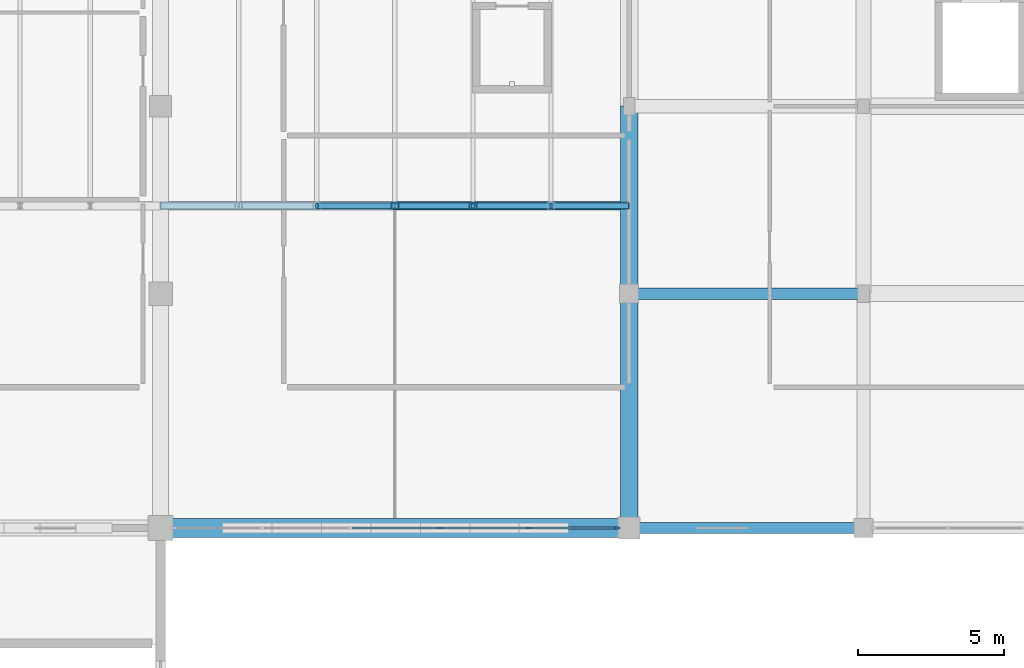
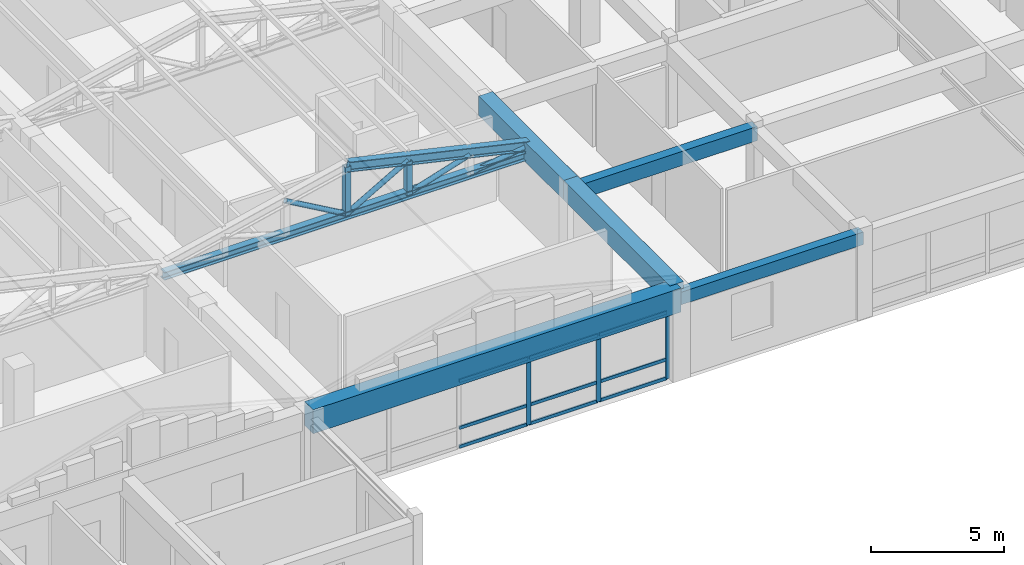
# One storey, part 3 of 35: 20 members, 5 beams, 1 element without a shape of its own.
"""IFC4 building model written with IfcOpenShell, lengths in metres."""

from ifc_helpers import new_model, si_unit, direction, frame, origin, origin_2d, place, context, subcontext, project, spatial, rectangle, hollow_rectangle, hollow_circle, i_section, extrude, material, material_profile, profile_set, type_object, element, aggregate, save


model = new_model("IFC4")

# Units and contexts
model_context = context("Model", 3, precision=1e-05, world=origin(), true_north=direction((0.0, 1.0)))
body_context = subcontext(model_context, "Body", "Model", "MODEL_VIEW")
ifc_project = project(units=[si_unit("LENGTHUNIT", "METRE"), si_unit("AREAUNIT", "SQUARE_METRE"), si_unit("VOLUMEUNIT", "CUBIC_METRE"), si_unit("PLANEANGLEUNIT", "RADIAN"), si_unit("MASSUNIT", "GRAM", prefix="KILO")], contexts=[model_context])

# Site, building, storey
site_placement = place(None, origin())
site = spatial("IfcSite", under=ifc_project, at=site_placement, CompositionType="ELEMENT")
building_placement = place(site_placement, origin())
building = spatial("IfcBuilding", under=site, at=building_placement, Name="Vellmiral Cinema and Media Centre", CompositionType="ELEMENT")
storey_placement = place(building_placement, frame((0.0, 0.0, 15.60009765625)))
storey = spatial("IfcBuildingStorey", under=building, at=storey_placement, Name="L03", CompositionType="ELEMENT", Elevation=15.60009765625)

# Beam
ifc_material_1 = material(Name="Concrete C40/50", Category="concrete")
ifc_material_profile_1 = material_profile(ifc_material_1, rectangle(XDim=0.39990234375, YDim=0.64990234375, at=origin_2d()), Name="RC 400x650")
ifc_profile_set_1 = profile_set([ifc_material_profile_1], Name="Concrete C40/50")
beam_type_1 = type_object("IfcBeamType", Name="BM-RC-400x650", PredefinedType="BEAM", material=ifc_profile_set_1)
beam_1_placement = place(storey_placement, frame((78.39990234375, 59.199951171875, 3.56982421875), z_axis=(1.0, 0.0, 0.0), x_axis=(0.0, 1.0, 0.0)))
element("IfcBeam", 1, at=beam_1_placement, inside=storey, type_object=beam_type_1, Name="Grid Beam L03-X007", PredefinedType="BEAM", context=body_context, shape_type="SweptSolid", body=[
    extrude(rectangle(XDim=0.39990234375, YDim=0.64990234375, at=origin_2d()), origin(), (0.0, 0.0, 1.0), 8.0),
])

# Curtain wall, members
ifc_material_2 = material(Name="Thermally Broken Aluminium and Triple Glazing", Category="aluminium")
curtain_wall_type = type_object("IfcCurtainWallType", Name="CW-POD-GALLERY", PredefinedType="USERDEFINED", material=ifc_material_2)
curtain_wall_placement = place(storey_placement, origin())
curtain_wall = element("IfcCurtainWall", 2, at=curtain_wall_placement, inside=storey, type_object=curtain_wall_type, Name="Curtain Wall L03-B004", ObjectType="STICK CURTAIN WALL", PredefinedType="USERDEFINED")
ifc_material_3 = material(Name="Thermally Broken Anodised Aluminium", Category="aluminium")
ifc_material_profile_2 = material_profile(ifc_material_3, rectangle(XDim=0.070068359375, YDim=0.179931640625, at=origin_2d()), Name="MULL 70x180")
ifc_profile_set_2 = profile_set([ifc_material_profile_2], Name="Thermally Broken Anodised Aluminium")
member_type_1 = type_object("IfcMemberType", Name="CWM-70x180", PredefinedType="MULLION", material=ifc_profile_set_2)
member_1_placement = place(storey_placement, frame((71.945068359375, 51.199951171875, 0.0), z_axis=(0.0, 0.0, 1.0), x_axis=(0.0, 1.0, 0.0)))
member_1 = element("IfcMember", 3, at=member_1_placement, type_object=member_type_1, Name="CW-04 mullion 4", PredefinedType="MULLION", context=body_context, shape_type="SweptSolid", body=[
    extrude(rectangle(XDim=0.070068359375, YDim=0.179931640625, at=origin_2d()), origin(), (0.0, 0.0, 1.0), 3.08984375),
])
member_2_placement = place(storey_placement, frame((74.985107421875, 51.199951171875, 0.0), z_axis=(0.0, 0.0, 1.0), x_axis=(0.0, 1.0, 0.0)))
member_2 = element("IfcMember", 4, at=member_2_placement, type_object=member_type_1, Name="CW-04 mullion 5", PredefinedType="MULLION", context=body_context, shape_type="SweptSolid", body=[
    extrude(rectangle(XDim=0.070068359375, YDim=0.179931640625, at=origin_2d()), origin(), (0.0, 0.0, 1.0), 3.08984375),
])
member_3_placement = place(storey_placement, frame((77.989990234375, 51.199951171875, 0.0), z_axis=(0.0, 0.0, 1.0), x_axis=(0.0, 1.0, 0.0)))
member_3 = element("IfcMember", 5, at=member_3_placement, type_object=member_type_1, Name="CW-04 mullion 6", PredefinedType="MULLION", context=body_context, shape_type="SweptSolid", body=[
    extrude(rectangle(XDim=0.070068359375, YDim=0.179931640625, at=origin_2d()), origin(), (0.0, 0.0, 1.0), 3.08984375),
])
ifc_material_4 = material(Name="Thermally Broken Anodised Aluminium", Category="aluminium")
ifc_material_profile_3 = material_profile(ifc_material_4, rectangle(XDim=0.070068359375, YDim=0.14990234375, at=origin_2d()), Name="MULL 70x150")
ifc_profile_set_3 = profile_set([ifc_material_profile_3], Name="Thermally Broken Anodised Aluminium")
member_type_2 = type_object("IfcMemberType", Name="CWT-70x150", PredefinedType="USERDEFINED", material=ifc_profile_set_3)
member_4_placement = place(storey_placement, frame((68.93994140625, 51.199951171875, 0.034912109375), z_axis=(1.0, 0.0, 0.0), x_axis=(0.0, 1.0, 0.0)))
member_4 = element("IfcMember", 6, at=member_4_placement, type_object=member_type_2, Name="CW-04 transom 3.1", ObjectType="TRANSOM", PredefinedType="USERDEFINED", context=body_context, shape_type="SweptSolid", body=[
    extrude(rectangle(XDim=0.070068359375, YDim=0.14990234375, at=origin_2d()), origin(), (0.0, 0.0, 1.0), 2.969970703125),
])
member_5_placement = place(storey_placement, frame((68.93994140625, 51.199951171875, 0.89990234375), z_axis=(1.0, 0.0, 0.0), x_axis=(0.0, 1.0, 0.0)))
member_5 = element("IfcMember", 7, at=member_5_placement, type_object=member_type_2, Name="CW-04 transom 3.2", ObjectType="TRANSOM", PredefinedType="USERDEFINED", context=body_context, shape_type="SweptSolid", body=[
    extrude(rectangle(XDim=0.070068359375, YDim=0.14990234375, at=origin_2d()), origin(), (0.0, 0.0, 1.0), 2.969970703125),
])
member_6_placement = place(storey_placement, frame((68.93994140625, 51.199951171875, 3.054931640625), z_axis=(1.0, 0.0, 0.0), x_axis=(0.0, 1.0, 0.0)))
member_6 = element("IfcMember", 8, at=member_6_placement, type_object=member_type_2, Name="CW-04 transom 3.3", ObjectType="TRANSOM", PredefinedType="USERDEFINED", context=body_context, shape_type="SweptSolid", body=[
    extrude(rectangle(XDim=0.070068359375, YDim=0.14990234375, at=origin_2d()), origin(), (0.0, 0.0, 1.0), 2.969970703125),
])
member_7_placement = place(storey_placement, frame((71.97998046875, 51.199951171875, 0.034912109375), z_axis=(1.0, 0.0, 0.0), x_axis=(0.0, 1.0, 0.0)))
member_7 = element("IfcMember", 9, at=member_7_placement, type_object=member_type_2, Name="CW-04 transom 4.1", ObjectType="TRANSOM", PredefinedType="USERDEFINED", context=body_context, shape_type="SweptSolid", body=[
    extrude(rectangle(XDim=0.070068359375, YDim=0.14990234375, at=origin_2d()), origin(), (0.0, 0.0, 1.0), 2.969970703125),
])
member_8_placement = place(storey_placement, frame((71.97998046875, 51.199951171875, 0.89990234375), z_axis=(1.0, 0.0, 0.0), x_axis=(0.0, 1.0, 0.0)))
member_8 = element("IfcMember", 10, at=member_8_placement, type_object=member_type_2, Name="CW-04 transom 4.2", ObjectType="TRANSOM", PredefinedType="USERDEFINED", context=body_context, shape_type="SweptSolid", body=[
    extrude(rectangle(XDim=0.070068359375, YDim=0.14990234375, at=origin_2d()), origin(), (0.0, 0.0, 1.0), 2.969970703125),
])
member_9_placement = place(storey_placement, frame((71.97998046875, 51.199951171875, 3.054931640625), z_axis=(1.0, 0.0, 0.0), x_axis=(0.0, 1.0, 0.0)))
member_9 = element("IfcMember", 11, at=member_9_placement, type_object=member_type_2, Name="CW-04 transom 4.3", ObjectType="TRANSOM", PredefinedType="USERDEFINED", context=body_context, shape_type="SweptSolid", body=[
    extrude(rectangle(XDim=0.070068359375, YDim=0.14990234375, at=origin_2d()), origin(), (0.0, 0.0, 1.0), 2.969970703125),
])
member_10_placement = place(storey_placement, frame((75.02001953125, 51.199951171875, 0.034912109375), z_axis=(1.0, 0.0, 0.0), x_axis=(0.0, 1.0, 0.0)))
member_10 = element("IfcMember", 12, at=member_10_placement, type_object=member_type_2, Name="CW-04 transom 5.1", ObjectType="TRANSOM", PredefinedType="USERDEFINED", context=body_context, shape_type="SweptSolid", body=[
    extrude(rectangle(XDim=0.070068359375, YDim=0.14990234375, at=origin_2d()), origin(), (0.0, 0.0, 1.0), 2.93505859375),
])
member_11_placement = place(storey_placement, frame((75.02001953125, 51.199951171875, 0.89990234375), z_axis=(1.0, 0.0, 0.0), x_axis=(0.0, 1.0, 0.0)))
member_11 = element("IfcMember", 13, at=member_11_placement, type_object=member_type_2, Name="CW-04 transom 5.2", ObjectType="TRANSOM", PredefinedType="USERDEFINED", context=body_context, shape_type="SweptSolid", body=[
    extrude(rectangle(XDim=0.070068359375, YDim=0.14990234375, at=origin_2d()), origin(), (0.0, 0.0, 1.0), 2.93505859375),
])
member_12_placement = place(storey_placement, frame((75.02001953125, 51.199951171875, 3.054931640625), z_axis=(1.0, 0.0, 0.0), x_axis=(0.0, 1.0, 0.0)))
member_12 = element("IfcMember", 14, at=member_12_placement, type_object=member_type_2, Name="CW-04 transom 5.3", ObjectType="TRANSOM", PredefinedType="USERDEFINED", context=body_context, shape_type="SweptSolid", body=[
    extrude(rectangle(XDim=0.070068359375, YDim=0.14990234375, at=origin_2d()), origin(), (0.0, 0.0, 1.0), 2.93505859375),
])
aggregate(curtain_wall, [member_1, member_2, member_3, member_4, member_5, member_6, member_7, member_8, member_9, member_10, member_11, member_12])

# Beams
ifc_material_5 = material(Name="Concrete C40/50", Category="concrete")
ifc_material_profile_4 = material_profile(ifc_material_5, rectangle(XDim=0.60009765625, YDim=0.89990234375, at=origin_2d()), Name="RC 600x900")
ifc_profile_set_4 = profile_set([ifc_material_profile_4], Name="Concrete C40/50")
beam_type_2 = type_object("IfcBeamType", Name="RING-BM-600x900", PredefinedType="BEAM", material=ifc_profile_set_4)
beam_2_placement = place(storey_placement, frame((78.39990234375, 51.199951171875, 3.75), z_axis=(0.0, 1.0, 0.0), x_axis=(-1.0, 0.0, 0.0)))
element("IfcBeam", 15, at=beam_2_placement, inside=storey, type_object=beam_type_2, Name="Central Editing Hall East Barrel Vault Ring Beam 03", PredefinedType="BEAM", context=body_context, shape_type="SweptSolid", body=[
    extrude(rectangle(XDim=0.60009765625, YDim=0.89990234375, at=origin_2d()), origin(), (0.0, 0.0, 1.0), 8.0),
])
beam_3_placement = place(storey_placement, frame((78.39990234375, 59.199951171875, 3.75), z_axis=(0.0, 1.0, 0.0), x_axis=(-1.0, 0.0, 0.0)))
element("IfcBeam", 16, at=beam_3_placement, inside=storey, type_object=beam_type_2, Name="Central Editing Hall East Barrel Vault Ring Beam 04", PredefinedType="BEAM", context=body_context, shape_type="SweptSolid", body=[
    extrude(rectangle(XDim=0.60009765625, YDim=0.89990234375, at=origin_2d()), origin(), (0.0, 0.0, 1.0), 6.400146484375),
])
ifc_material_6 = material(Name="Concrete C40/50", Category="concrete")
ifc_material_profile_5 = material_profile(ifc_material_6, rectangle(XDim=0.64990234375, YDim=1.10009765625, at=origin_2d()), Name="RC 650x1100")
ifc_profile_set_5 = profile_set([ifc_material_profile_5], Name="Concrete C40/50")
beam_type_3 = type_object("IfcBeamType", Name="RING-BMG-650x1100", PredefinedType="BEAM", material=ifc_profile_set_5)
beam_4_placement = place(storey_placement, frame((62.39990234375, 51.199951171875, 3.64990234375), z_axis=(1.0, 0.0, 0.0), x_axis=(0.0, 1.0, 0.0)))
element("IfcBeam", 17, at=beam_4_placement, inside=storey, type_object=beam_type_3, Name="Central Editing Hall East Barrel Vault Ring Beam 01", PredefinedType="BEAM", context=body_context, shape_type="SweptSolid", body=[
    extrude(rectangle(XDim=0.64990234375, YDim=1.10009765625, at=origin_2d()), origin(), (0.0, 0.0, 1.0), 16.0),
])
ifc_material_7 = material(Name="Vosges Red Sandstone Masonry", Category="masonry")
ifc_material_profile_6 = material_profile(ifc_material_7, rectangle(XDim=0.3798828125, YDim=0.580078125, at=origin_2d()), Name="SAND 380x580")
ifc_profile_set_6 = profile_set([ifc_material_profile_6], Name="Vosges Red Sandstone Masonry")
beam_type_4 = type_object("IfcBeamType", Name="SPD-SAND-380x580", PredefinedType="SPANDREL", material=ifc_profile_set_6)
beam_5_placement = place(storey_placement, frame((78.39990234375, 51.199951171875, 3.60498046875), z_axis=(1.0, 0.0, 0.0), x_axis=(0.0, 1.0, 0.0)))
element("IfcBeam", 18, at=beam_5_placement, inside=storey, type_object=beam_type_4, Name="Grid Beam L03-X004", PredefinedType="SPANDREL", context=body_context, shape_type="SweptSolid", body=[
    extrude(rectangle(XDim=0.3798828125, YDim=0.580078125, at=origin_2d()), origin(), (0.0, 0.0, 1.0), 8.0),
])

# Members
ifc_material_8 = material(Name="Steel S355", Category="steel")
ifc_material_profile_7 = material_profile(ifc_material_8, hollow_circle(Radius=0.109619140625, WallThickness=0.010009765625, at=origin_2d()), Name="CHS 219.1x10.0")
ifc_profile_set_7 = profile_set([ifc_material_profile_7], Name="Steel S355")
member_type_3 = type_object("IfcMemberType", Name="TBR-CHS219", PredefinedType="BRACE", material=ifc_profile_set_7)
member_13_placement = place(storey_placement, frame((67.7333984375, 62.199951171875, 5.0791015625), z_axis=(0.867460050673, 0.0, -0.497506844663), x_axis=(0.0, 1.0, 0.0)))
element("IfcMember", 19, at=member_13_placement, inside=storey, type_object=member_type_3, Name="Roof Truss TR-08B.1 Diagonal 3", PredefinedType="BRACE", context=body_context, shape_type="SweptSolid", body=[
    extrude(hollow_circle(Radius=0.109619140625, WallThickness=0.010009765625, at=origin_2d()), origin(), (0.0, 0.0, 1.0), 3.073974609375),
])
member_14_placement = place(storey_placement, frame((70.39990234375, 62.199951171875, 3.5498046875), z_axis=(0.867479706917, 0.0, 0.497472570185), x_axis=(0.0, 1.0, 0.0)))
element("IfcMember", 20, at=member_14_placement, inside=storey, type_object=member_type_3, Name="Roof Truss TR-08B.1 Diagonal 4", PredefinedType="BRACE", context=body_context, shape_type="SweptSolid", body=[
    extrude(hollow_circle(Radius=0.109619140625, WallThickness=0.010009765625, at=origin_2d()), origin(), (0.0, 0.0, 1.0), 3.07421875),
])
member_15_placement = place(storey_placement, frame((73.066650390625, 62.199951171875, 3.5498046875), z_axis=(0.953842302692, 0.0, 0.300307944608), x_axis=(0.0, 1.0, 0.0)))
element("IfcMember", 21, at=member_15_placement, inside=storey, type_object=member_type_3, Name="Roof Truss TR-08B.1 Diagonal 5", PredefinedType="BRACE", context=body_context, shape_type="SweptSolid", body=[
    extrude(hollow_circle(Radius=0.109619140625, WallThickness=0.010009765625, at=origin_2d()), origin(), (0.0, 0.0, 1.0), 2.7958984375),
])
member_16_placement = place(storey_placement, frame((75.7333984375, 62.199951171875, 3.5498046875), z_axis=(0.989204434895, 0.0, 0.146542096288), x_axis=(0.0, 1.0, 0.0)))
element("IfcMember", 22, at=member_16_placement, inside=storey, type_object=member_type_3, Name="Roof Truss TR-08B.1 Diagonal 6", PredefinedType="BRACE", context=body_context, shape_type="SweptSolid", body=[
    extrude(hollow_circle(Radius=0.109619140625, WallThickness=0.010009765625, at=origin_2d()), origin(), (0.0, 0.0, 1.0), 2.695556640625),
])
ifc_material_9 = material(Name="Steel S355", Category="steel")
ifc_material_profile_8 = material_profile(ifc_material_9, hollow_rectangle(XDim=0.25, YDim=0.25, WallThickness=0.012451171875, at=origin_2d()), Name="SHS 250x250x12.5")
ifc_profile_set_8 = profile_set([ifc_material_profile_8], Name="Steel S355")
member_type_4 = type_object("IfcMemberType", Name="TBR-SHS250", PredefinedType="BRACE", material=ifc_profile_set_8)
member_17_placement = place(storey_placement, frame((70.39990234375, 62.199951171875, 3.5498046875), z_axis=(0.0, 0.0, 1.0), x_axis=(1.0, 0.0, 0.0)))
element("IfcMember", 23, at=member_17_placement, inside=storey, type_object=member_type_4, Name="Roof Truss TR-08B.1 Post 3", PredefinedType="BRACE", context=body_context, shape_type="SweptSolid", body=[
    extrude(hollow_rectangle(XDim=0.25, YDim=0.25, WallThickness=0.012451171875, at=origin_2d()), origin(), (0.0, 0.0, 1.0), 2.218994140625),
])
member_18_placement = place(storey_placement, frame((73.066650390625, 62.199951171875, 3.5498046875), z_axis=(0.0, 0.0, 1.0), x_axis=(1.0, 0.0, 0.0)))
element("IfcMember", 24, at=member_18_placement, inside=storey, type_object=member_type_4, Name="Roof Truss TR-08B.1 Post 4", PredefinedType="BRACE", context=body_context, shape_type="SweptSolid", body=[
    extrude(hollow_rectangle(XDim=0.25, YDim=0.25, WallThickness=0.012451171875, at=origin_2d()), origin(), (0.0, 0.0, 1.0), 1.529296875),
])
ifc_material_10 = material(Name="Steel S355", Category="steel")
ifc_material_profile_9 = material_profile(ifc_material_10, i_section(OverallWidth=0.300048828125, OverallDepth=0.360107421875, WebThickness=0.012451171875, FlangeThickness=0.0224609375, FilletRadius=0.027099609375, at=origin_2d()), Name="HEB 360")
ifc_profile_set_9 = profile_set([ifc_material_profile_9], Name="Steel S355")
member_type_5 = type_object("IfcMemberType", Name="TCH-HEB360", PredefinedType="CHORD", material=ifc_profile_set_9)
member_19_placement = place(storey_placement, frame((62.39990234375, 62.199951171875, 3.5498046875), z_axis=(1.0, 0.0, 0.0), x_axis=(0.0, 1.0, 0.0)))
element("IfcMember", 25, at=member_19_placement, inside=storey, type_object=member_type_5, Name="Roof Truss TR-08B.1 Bottom Chord", PredefinedType="CHORD", context=body_context, shape_type="SweptSolid", body=[
    extrude(i_section(OverallWidth=0.300048828125, OverallDepth=0.360107421875, WebThickness=0.012451171875, FlangeThickness=0.0224609375, FilletRadius=0.027099609375, at=origin_2d()), origin(), (0.0, 0.0, 1.0), 16.0),
])
ifc_material_11 = material(Name="Steel S355", Category="steel")
ifc_material_profile_10 = material_profile(ifc_material_11, i_section(OverallWidth=0.300048828125, OverallDepth=0.449951171875, WebThickness=0.013916015625, FlangeThickness=0.02587890625, FilletRadius=0.027099609375, at=origin_2d()), Name="HEB 450")
ifc_profile_set_10 = profile_set([ifc_material_profile_10], Name="Steel S355")
member_type_6 = type_object("IfcMemberType", Name="TCH-HEB450", PredefinedType="CHORD", material=ifc_profile_set_10)
member_20_placement = place(storey_placement, frame((70.39990234375, 62.199951171875, 5.768798828125), z_axis=(0.974980054938, 0.0, -0.222292358107), x_axis=(0.0, 1.0, 0.0)))
element("IfcMember", 26, at=member_20_placement, inside=storey, type_object=member_type_6, Name="Roof Truss TR-08B.1 Top Chord E", PredefinedType="CHORD", context=body_context, shape_type="SweptSolid", body=[
    extrude(i_section(OverallWidth=0.300048828125, OverallDepth=0.449951171875, WebThickness=0.013916015625, FlangeThickness=0.02587890625, FilletRadius=0.027099609375, at=origin_2d()), origin(), (0.0, 0.0, 1.0), 8.205322265625),
])

save(model, "model.ifc")
